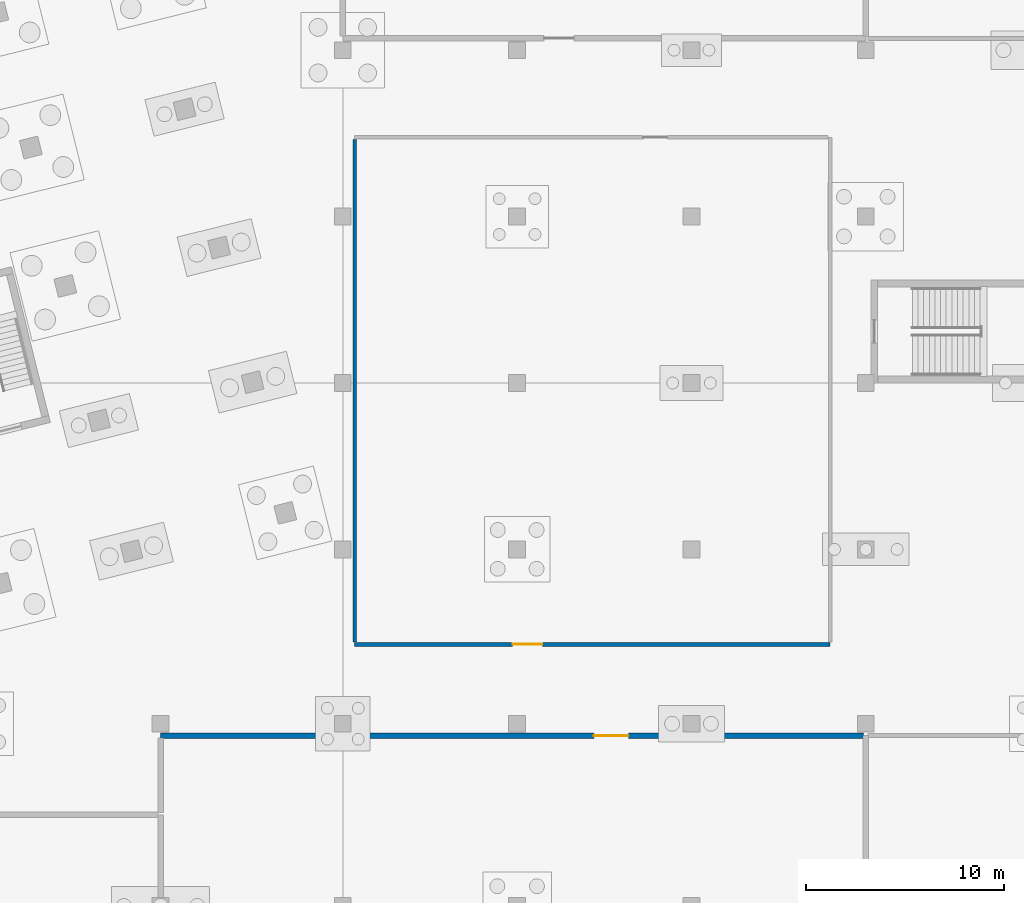
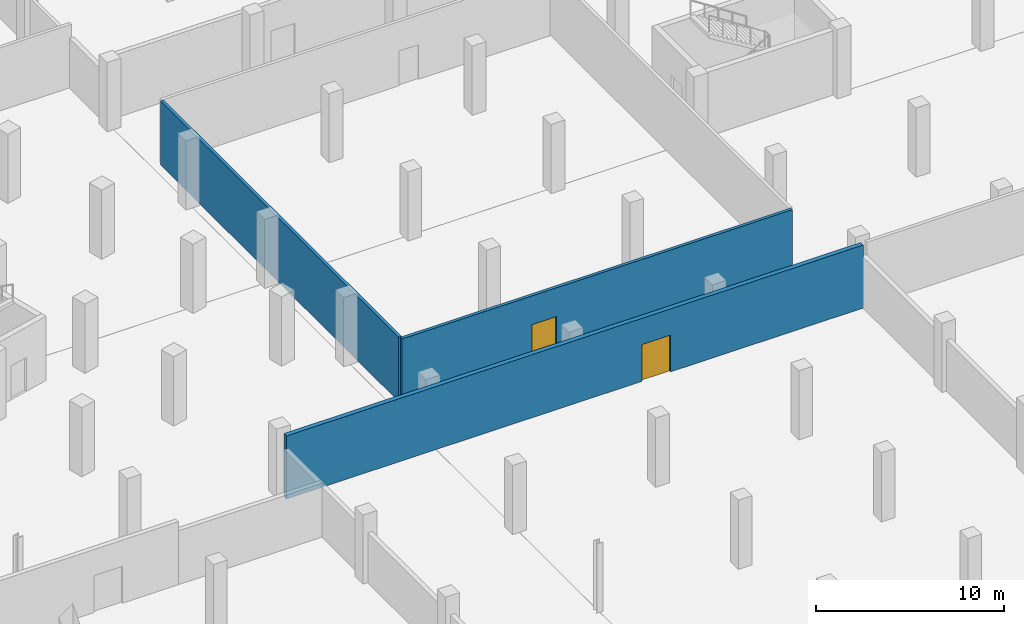
# One storey, part 19 of 29: 3 walls, 2 doors, 2 openings.
"""IFC4 building model written with IfcOpenShell, lengths in metres."""

from ifc_helpers import new_model, si_unit, direction, frame, frame_2d, origin, place, context, subcontext, project, spatial, rectangle, extrude, material, layer, layer_set, type_object, element, fill, save


model = new_model("IFC4")

# Units and contexts
model_context = context("Model", 3, precision=1e-05, world=origin(), true_north=direction((0.0, 1.0)))
body_context = subcontext(model_context, "Body", "Model", "MODEL_VIEW")
ifc_project = project(units=[si_unit("LENGTHUNIT", "METRE"), si_unit("AREAUNIT", "SQUARE_METRE"), si_unit("VOLUMEUNIT", "CUBIC_METRE"), si_unit("PLANEANGLEUNIT", "RADIAN"), si_unit("MASSUNIT", "GRAM", prefix="KILO")], contexts=[model_context])

# Site, building, storey
site_placement = place(None, origin())
site = spatial("IfcSite", under=ifc_project, at=site_placement, CompositionType="ELEMENT")
building_placement = place(site_placement, origin())
building = spatial("IfcBuilding", under=site, at=building_placement, Name="Meriwether Solvik Hall", CompositionType="ELEMENT")
storey_placement = place(building_placement, frame((0.0, 0.0, -9.0)))
storey = spatial("IfcBuildingStorey", under=building, at=storey_placement, Name="B02", CompositionType="ELEMENT", Elevation=-9.0)

# Wall, opening, door
ifc_material_1 = material(Name="Grouted Concrete Masonry Unit Block", Category="masonry")
ifc_layer_1 = layer(ifc_material_1, 0.18994140625)
ifc_layer_set_1 = layer_set([ifc_layer_1], Name="Grouted Concrete Masonry Unit Block")
wall_type_1 = type_object("IfcWallType", Name="WALL-CMU-190", PredefinedType="STANDARD", material=ifc_layer_set_1)
wall_1_placement = place(storey_placement, frame((114.800048828125, 45.199951171875, 0.0), z_axis=(0.0, 0.0, 1.0), x_axis=(1.0, 0.0, 0.0)))
wall_1 = element("IfcWall", 1, at=wall_1_placement, inside=storey, type_object=wall_type_1, Name="B02 Interior Partition east_mnt_s", PredefinedType="STANDARD", context=body_context, shape_type="SweptSolid", body=[
    extrude(rectangle(XDim=24.0, YDim=0.18994140625, at=frame_2d((12.0, 0.0))), origin(), (0.0, 0.0, 1.0), 4.169921875),
])
opening_1_placement = place(wall_1_placement, frame((7.974609375, 0.0, 0.0)))
opening_1 = element("IfcOpeningElement", 2, at=opening_1_placement, cuts=wall_1, Name="Opening D-113", PredefinedType="OPENING", context=body_context, shape_type="SweptSolid", body=[
    extrude(rectangle(XDim=1.5, YDim=2.300048828125, at=frame_2d((0.75, 1.14990234375))), frame((0.0, 0.10693359375, 0.0), z_axis=(0.0, -1.0, 0.0), x_axis=(1.0, 0.0, 0.0)), (0.0, 0.0, 1.0), 0.2138671875),
])
ifc_material_2 = material(Name="Steel A36 Galvanised", Category="steel")
door_type_1 = type_object("IfcDoorType", Name="DR-FD60-1500", OperationType="DOUBLE_DOOR_SINGLE_SWING", PredefinedType="DOOR", material=ifc_material_2)
door_1_placement = place(opening_1_placement, origin())
door_1 = element("IfcDoor", 3, at=door_1_placement, inside=storey, type_object=door_type_1, Name="Central Facilities Maintenance Plant Shop Door", OperationType="DOUBLE_DOOR_SINGLE_SWING", OverallHeight=2.300048828125, OverallWidth=1.5, PredefinedType="DOOR", context=body_context, shape_type="SweptSolid", body=[
    extrude(rectangle(XDim=1.5, YDim=2.300048828125, at=frame_2d((0.75, 1.14990234375))), frame((0.0, 0.02490234375, 0.0), z_axis=(0.0, -1.0, 0.0), x_axis=(1.0, 0.0, 0.0)), (0.0, 0.0, 1.0), 0.050048828125),
])
fill(opening_1, door_1)

# Wall
wall_2_placement = place(storey_placement, frame((114.800048828125, 70.679931640625, 0.0), z_axis=(0.0, 0.0, 1.0), x_axis=(0.0, -1.0, 0.0)))
element("IfcWall", 4, at=wall_2_placement, inside=storey, type_object=wall_type_1, Name="B02 Interior Partition east_mnt_w", PredefinedType="STANDARD", context=body_context, shape_type="SweptSolid", body=[
    extrude(rectangle(XDim=25.35986328125, YDim=0.18994140625, at=frame_2d((12.679931640625, 0.0))), origin(), (0.0, 0.0, 1.0), 4.169921875),
])

# Wall, opening, door
ifc_material_3 = material(Name="Concrete C35/45", Category="concrete")
ifc_layer_2 = layer(ifc_material_3, 0.280029296875)
ifc_layer_set_2 = layer_set([ifc_layer_2], Name="Concrete C35/45")
wall_type_2 = type_object("IfcWallType", Name="WALL-PLANT-280", PredefinedType="STANDARD", material=ifc_layer_set_2)
wall_3_placement = place(storey_placement, frame((140.47998046875, 40.60009765625, 0.0), z_axis=(0.0, 0.0, 1.0), x_axis=(-1.0, 0.0, 0.0)))
wall_3 = element("IfcWall", 5, at=wall_3_placement, inside=storey, type_object=wall_type_2, Name="B02 Interior Partition tank_n", PredefinedType="STANDARD", context=body_context, shape_type="SweptSolid", body=[
    extrude(rectangle(XDim=35.47998046875, YDim=0.280029296875, at=frame_2d((17.739990234375, 0.0))), origin(), (0.0, 0.0, 1.0), 4.10009765625),
])
opening_2_placement = place(wall_3_placement, frame((11.859619140625, 0.0, 0.0)))
opening_2 = element("IfcOpeningElement", 6, at=opening_2_placement, cuts=wall_3, Name="Opening D-159", PredefinedType="OPENING", context=body_context, shape_type="SweptSolid", body=[
    extrude(rectangle(XDim=1.75, YDim=2.39990234375, at=frame_2d((0.875, 1.199951171875))), frame((0.0, 0.15185546875, 0.0), z_axis=(0.0, -1.0, 0.0), x_axis=(1.0, 0.0, 0.0)), (0.0, 0.0, 1.0), 0.303955078125),
])
ifc_material_4 = material(Name="Steel A36 Galvanised", Category="steel")
door_type_2 = type_object("IfcDoorType", Name="DR-FD90-1750", OperationType="DOUBLE_DOOR_SINGLE_SWING", PredefinedType="DOOR", material=ifc_material_4)
door_2_placement = place(opening_2_placement, origin())
door_2 = element("IfcDoor", 7, at=door_2_placement, inside=storey, type_object=door_type_2, Name="Seismic Fire Water Storage Tank Plant Door", OperationType="DOUBLE_DOOR_SINGLE_SWING", OverallHeight=2.39990234375, OverallWidth=1.75, PredefinedType="DOOR", context=body_context, shape_type="SweptSolid", body=[
    extrude(rectangle(XDim=1.75, YDim=2.39990234375, at=frame_2d((0.875, 1.199951171875))), frame((0.0, 0.02490234375, 0.0), z_axis=(0.0, -1.0, 0.0), x_axis=(1.0, 0.0, 0.0)), (0.0, 0.0, 1.0), 0.050048828125),
])
fill(opening_2, door_2)

save(model, "model.ifc")
